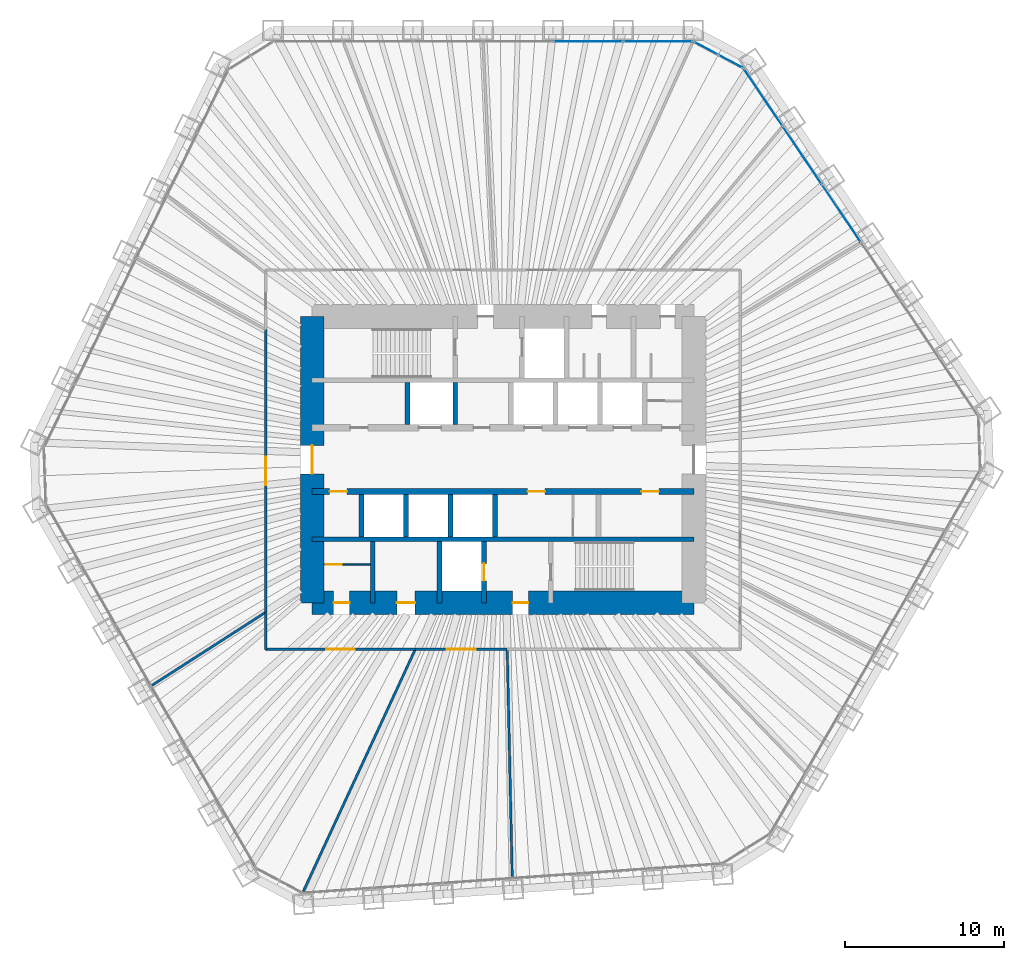
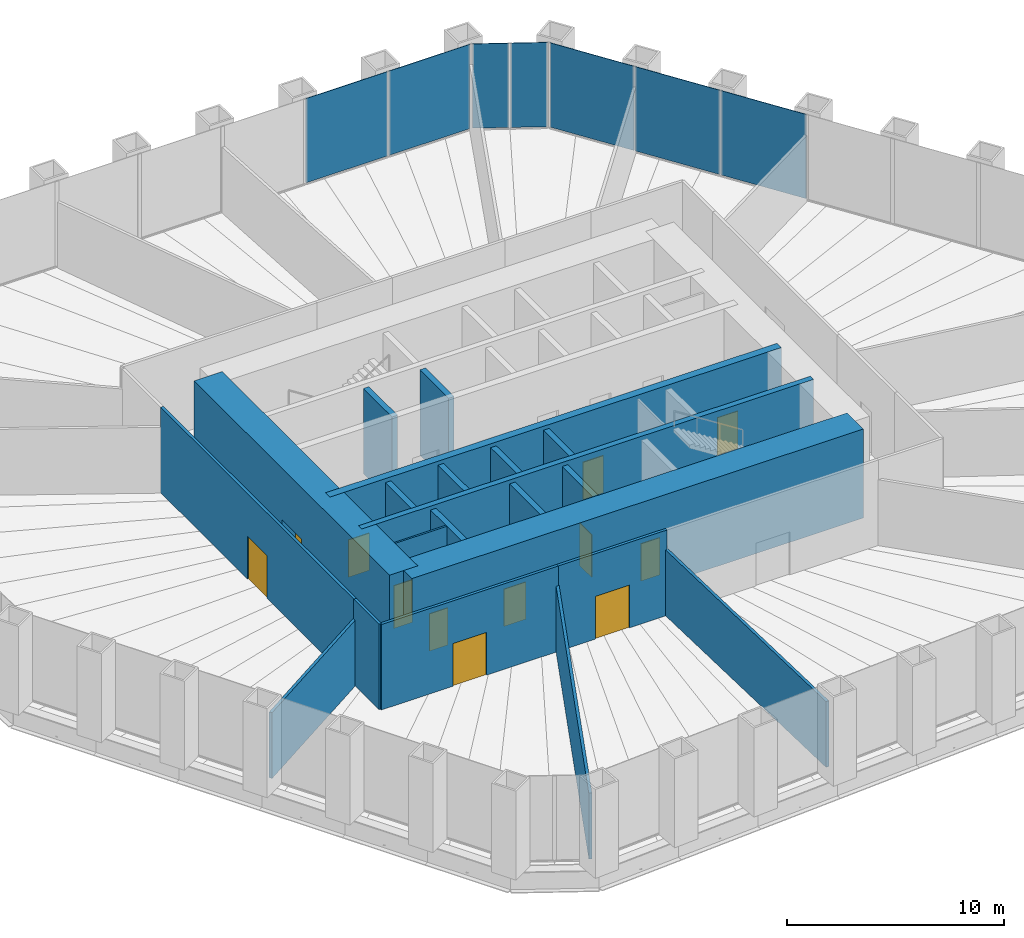
# One storey, part 10 of 14: 21 walls, 12 doors, 7 plates, 12 openings, 3 elements without a shape of their own.
"""IFC4 building model written with IfcOpenShell, lengths in metres."""

from ifc_helpers import new_model, si_unit, direction, frame, frame_2d, origin, origin_2d, place, context, subcontext, project, spatial, rectangle, extrude, material, layer, layer_set, type_object, element, fill, aggregate, save


model = new_model("IFC4")

# Units and contexts
model_context = context("Model", 3, precision=1e-05, world=origin(), true_north=direction((0.0, 1.0)))
body_context = subcontext(model_context, "Body", "Model", "MODEL_VIEW")
ifc_project = project(units=[si_unit("LENGTHUNIT", "METRE"), si_unit("AREAUNIT", "SQUARE_METRE"), si_unit("VOLUMEUNIT", "CUBIC_METRE"), si_unit("PLANEANGLEUNIT", "RADIAN"), si_unit("MASSUNIT", "GRAM", prefix="KILO")], contexts=[model_context])

# Site, building, storey
site_placement = place(None, origin())
site = spatial("IfcSite", under=ifc_project, at=site_placement, CompositionType="ELEMENT")
building_placement = place(site_placement, origin())
building = spatial("IfcBuilding", under=site, at=building_placement, Name="Qingtian Harvest Tower", CompositionType="ELEMENT")
storey_placement = place(building_placement, frame((0.0, 0.0, 52.0)))
storey = spatial("IfcBuildingStorey", under=building, at=storey_placement, Name="L10", CompositionType="ELEMENT", Elevation=52.0)

# Curtain wall, plates
ifc_material_1 = material(Name="Bronze-anodised aluminium curtain wall", Category="aluminium")
curtain_wall_type = type_object("IfcCurtainWallType", Name="Curtain wall CW2 farm reception", PredefinedType="USERDEFINED", material=ifc_material_1)
curtain_wall_1_placement = place(storey_placement, origin())
curtain_wall_1 = element("IfcCurtainWall", 1, at=curtain_wall_1_placement, inside=storey, type_object=curtain_wall_type, Name="Curtain wall CW2 L10 N0-5", ObjectType="RECESSED CURTAIN WALL", PredefinedType="USERDEFINED")
ifc_material_2 = material(Name="Bronze-tinted laminated insulating glass", Category="glass")
ifc_layer_1 = layer(ifc_material_2, 0.030029296875)
ifc_layer_set_1 = layer_set([ifc_layer_1], Name="Glazed panel CWP tinted IGU")
plate_type = type_object("IfcPlateType", Name="Glazed panel CWP tinted IGU", PredefinedType="CURTAIN_PANEL", material=ifc_layer_set_1)
plate_1_placement = place(storey_placement, frame((5.349365234375, 26.300048828125, 0.06494140625), z_axis=(0.0, 0.0, 1.0), x_axis=(1.0, 0.0, 0.0)))
plate_1 = element("IfcPlate", 2, at=plate_1_placement, type_object=plate_type, Name="CW2 panel 5.1", PredefinedType="CURTAIN_PANEL", context=body_context, shape_type="SweptSolid", body=[
    extrude(rectangle(XDim=4.339599609375, YDim=0.030029296875, at=origin_2d()), origin(), (0.0, 0.0, 1.0), 4.735107421875),
])
plate_2_placement = place(storey_placement, frame((9.737548828125, 26.300048828125, 0.06494140625), z_axis=(0.0, 0.0, 1.0), x_axis=(1.0, 0.0, 0.0)))
plate_2 = element("IfcPlate", 3, at=plate_2_placement, type_object=plate_type, Name="CW2 panel 6.1", PredefinedType="CURTAIN_PANEL", context=body_context, shape_type="SweptSolid", body=[
    extrude(rectangle(XDim=4.30712890625, YDim=0.030029296875, at=origin_2d()), origin(), (0.0, 0.0, 1.0), 4.735107421875),
])
aggregate(curtain_wall_1, [plate_1, plate_2])

curtain_wall_2_placement = place(storey_placement, origin())
curtain_wall_2 = element("IfcCurtainWall", 4, at=curtain_wall_2_placement, inside=storey, type_object=curtain_wall_type, Name="Curtain wall CW2 L10 NC", ObjectType="RECESSED CURTAIN WALL", PredefinedType="USERDEFINED")
plate_3_placement = place(storey_placement, frame((12.760986328125, 25.8720703125, 0.06494140625), z_axis=(0.0, 0.0, 1.0), x_axis=(0.882947592859, -0.469471562786, 0.0)))
plate_3 = element("IfcPlate", 5, at=plate_3_placement, type_object=plate_type, Name="CW2 panel 1.1", PredefinedType="CURTAIN_PANEL", context=body_context, shape_type="SweptSolid", body=[
    extrude(rectangle(XDim=1.69287109375, YDim=0.030029296875, at=origin_2d()), origin(), (0.0, 0.0, 1.0), 4.735107421875),
])
plate_4_placement = place(storey_placement, frame((14.31298828125, 25.046875, 0.06494140625), z_axis=(0.0, 0.0, 1.0), x_axis=(0.882947592859, -0.469471562786, 0.0)))
plate_4 = element("IfcPlate", 6, at=plate_4_placement, type_object=plate_type, Name="CW2 panel 2.1", PredefinedType="CURTAIN_PANEL", context=body_context, shape_type="SweptSolid", body=[
    extrude(rectangle(XDim=1.69287109375, YDim=0.030029296875, at=origin_2d()), origin(), (0.0, 0.0, 1.0), 4.735107421875),
])
aggregate(curtain_wall_2, [plate_3, plate_4])

curtain_wall_3_placement = place(storey_placement, origin())
curtain_wall_3 = element("IfcCurtainWall", 7, at=curtain_wall_3_placement, inside=storey, type_object=curtain_wall_type, Name="Curtain wall CW2 L10 NE0-5", ObjectType="RECESSED CURTAIN WALL", PredefinedType="USERDEFINED")
plate_5_placement = place(storey_placement, frame((16.3583984375, 22.779541015625, 0.06494140625), z_axis=(0.0, 0.0, 1.0), x_axis=(0.559192903471, -0.829037572555, 0.0)))
plate_5 = element("IfcPlate", 8, at=plate_5_placement, type_object=plate_type, Name="CW2 panel 1.1", PredefinedType="CURTAIN_PANEL", context=body_context, shape_type="SweptSolid", body=[
    extrude(rectangle(XDim=4.30712890625, YDim=0.030029296875, at=origin_2d()), origin(), (0.0, 0.0, 1.0), 4.735107421875),
])
plate_6_placement = place(storey_placement, frame((18.8125, 19.1416015625, 0.06494140625), z_axis=(0.0, 0.0, 1.0), x_axis=(0.559192903471, -0.829037572555, 0.0)))
plate_6 = element("IfcPlate", 9, at=plate_6_placement, type_object=plate_type, Name="CW2 panel 2.1", PredefinedType="CURTAIN_PANEL", context=body_context, shape_type="SweptSolid", body=[
    extrude(rectangle(XDim=4.339599609375, YDim=0.030029296875, at=origin_2d()), origin(), (0.0, 0.0, 1.0), 4.735107421875),
])
plate_7_placement = place(storey_placement, frame((21.275390625, 15.489990234375, 0.06494140625), z_axis=(0.0, 0.0, 1.0), x_axis=(0.559192903471, -0.829037572555, 0.0)))
plate_7 = element("IfcPlate", 10, at=plate_7_placement, type_object=plate_type, Name="CW2 panel 3.1", PredefinedType="CURTAIN_PANEL", context=body_context, shape_type="SweptSolid", body=[
    extrude(rectangle(XDim=4.339599609375, YDim=0.030029296875, at=origin_2d()), origin(), (0.0, 0.0, 1.0), 4.735107421875),
])
aggregate(curtain_wall_3, [plate_5, plate_6, plate_7])

# Wall
ifc_material_3 = material(Name="Concrete fc' 70 MPa", Category="concrete")
ifc_layer_2 = layer(ifc_material_3, 0.300048828125)
ifc_layer_set_2 = layer_set([ifc_layer_2], Name="Core inner wall RC5 300")
wall_type_1 = type_object("IfcWallType", Name="Core inner wall RC5 300", PredefinedType="SHEAR", material=ifc_layer_set_2)
wall_1_placement = place(storey_placement, frame((-12.0, -5.0, 0.0), z_axis=(0.0, 0.0, 1.0), x_axis=(1.0, 0.0, 0.0)))
element("IfcWall", 11, at=wall_1_placement, inside=storey, type_object=wall_type_1, Name="Core wall IS5 L10", PredefinedType="SHEAR", context=body_context, shape_type="SweptSolid", body=[
    extrude(rectangle(XDim=24.0, YDim=0.300048828125, at=frame_2d((12.0, 0.0))), origin(), (0.0, 0.0, 1.0), 5.0),
])

# Wall, openings, doors
ifc_material_4 = material(Name="Concrete fc' 70 MPa", Category="concrete")
ifc_layer_3 = layer(ifc_material_4, 0.39990234375)
ifc_layer_set_3 = layer_set([ifc_layer_3], Name="Core inner web RC6 400")
wall_type_2 = type_object("IfcWallType", Name="Core inner web RC6 400", PredefinedType="SHEAR", material=ifc_layer_set_3)
wall_2_placement = place(storey_placement, frame((-12.0, -2.0, 0.0), z_axis=(0.0, 0.0, 1.0), x_axis=(1.0, 0.0, 0.0)))
wall_2 = element("IfcWall", 12, at=wall_2_placement, inside=storey, type_object=wall_type_2, Name="Core wall IS2 L10", PredefinedType="SHEAR", context=body_context, shape_type="SweptSolid", body=[
    extrude(rectangle(XDim=24.0, YDim=0.39990234375, at=frame_2d((12.0, 0.0))), origin(), (0.0, 0.0, 1.0), 5.0),
])
opening_1_placement = place(wall_2_placement, frame((1.10009765625, 0.0, 0.0)))
opening_1 = element("IfcOpeningElement", 13, at=opening_1_placement, cuts=wall_2, Name="Opening FD4", PredefinedType="OPENING", context=body_context, shape_type="SweptSolid", body=[
    extrude(rectangle(XDim=1.10009765625, YDim=2.10009765625, at=frame_2d((0.550048828125, 1.050048828125))), frame((0.0, 0.2099609375, 0.0), z_axis=(0.0, -1.0, 0.0), x_axis=(1.0, 0.0, 0.0)), (0.0, 0.0, 1.0), 0.419921875),
])
opening_2_placement = place(wall_2_placement, frame((13.550048828125, 0.0, 0.0)))
opening_2 = element("IfcOpeningElement", 14, at=opening_2_placement, cuts=wall_2, Name="Opening FD4", PredefinedType="OPENING", context=body_context, shape_type="SweptSolid", body=[
    extrude(rectangle(XDim=1.10009765625, YDim=2.10009765625, at=frame_2d((0.550048828125, 1.050048828125))), frame((0.0, 0.2099609375, 0.0), z_axis=(0.0, -1.0, 0.0), x_axis=(1.0, 0.0, 0.0)), (0.0, 0.0, 1.0), 0.419921875),
])
opening_3_placement = place(wall_2_placement, frame((20.699951171875, 0.0, 0.0)))
opening_3 = element("IfcOpeningElement", 15, at=opening_3_placement, cuts=wall_2, Name="Opening FD4", PredefinedType="OPENING", context=body_context, shape_type="SweptSolid", body=[
    extrude(rectangle(XDim=1.10009765625, YDim=2.10009765625, at=frame_2d((0.550048828125, 1.050048828125))), frame((0.0, 0.2099609375, 0.0), z_axis=(0.0, -1.0, 0.0), x_axis=(1.0, 0.0, 0.0)), (0.0, 0.0, 1.0), 0.419921875),
])
ifc_material_5 = material(Name="Steel-faced door leaf", Category="steel")
door_type_1 = type_object("IfcDoorType", Name="Fire door FD4 single 2 HR", OperationType="SINGLE_SWING_LEFT", PredefinedType="DOOR", material=ifc_material_5)
door_1_placement = place(opening_1_placement, origin())
door_1 = element("IfcDoor", 16, at=door_1_placement, inside=storey, type_object=door_type_1, Name="RB door L10", OperationType="SINGLE_SWING_RIGHT", OverallHeight=2.10009765625, OverallWidth=1.10009765625, PredefinedType="DOOR", context=body_context, shape_type="SweptSolid", body=[
    extrude(rectangle(XDim=1.10009765625, YDim=2.10009765625, at=frame_2d((0.550048828125, 1.050048828125))), frame((0.0, 0.02490234375, 0.0), z_axis=(0.0, -1.0, 0.0), x_axis=(1.0, 0.0, 0.0)), (0.0, 0.0, 1.0), 0.050048828125),
])
fill(opening_1, door_1)
door_2_placement = place(opening_2_placement, origin())
door_2 = element("IfcDoor", 17, at=door_2_placement, inside=storey, type_object=door_type_1, Name="ELEC door L10", OperationType="SINGLE_SWING_LEFT", OverallHeight=2.10009765625, OverallWidth=1.10009765625, PredefinedType="DOOR", context=body_context, shape_type="SweptSolid", body=[
    extrude(rectangle(XDim=1.10009765625, YDim=2.10009765625, at=frame_2d((0.550048828125, 1.050048828125))), frame((0.0, 0.02490234375, 0.0), z_axis=(0.0, -1.0, 0.0), x_axis=(1.0, 0.0, 0.0)), (0.0, 0.0, 1.0), 0.050048828125),
])
fill(opening_2, door_2)
door_3_placement = place(opening_3_placement, origin())
door_3 = element("IfcDoor", 18, at=door_3_placement, inside=storey, type_object=door_type_1, Name="DUCT door L10", OperationType="SINGLE_SWING_RIGHT", OverallHeight=2.10009765625, OverallWidth=1.10009765625, PredefinedType="DOOR", context=body_context, shape_type="SweptSolid", body=[
    extrude(rectangle(XDim=1.10009765625, YDim=2.10009765625, at=frame_2d((0.550048828125, 1.050048828125))), frame((0.0, 0.02490234375, 0.0), z_axis=(0.0, -1.0, 0.0), x_axis=(1.0, 0.0, 0.0)), (0.0, 0.0, 1.0), 0.050048828125),
])
fill(opening_3, door_3)

# Walls
ifc_material_6 = material(Name="Precast concrete shaft panel", Category="concrete")
ifc_layer_4 = layer(ifc_material_6, 0.300048828125)
ifc_layer_set_4 = layer_set([ifc_layer_4], Name="Core shaft partition SW1 300")
wall_type_3 = type_object("IfcWallType", Name="Core shaft partition SW1 300", PredefinedType="PARTITIONING", material=ifc_layer_set_4)
for number, where, z_axis, x_axis, name in (
    (19, (-6.0, 2.199951171875, 0.0), (0.0, 0.0, 1.0), (0.0, 1.0, 0.0), "Core shaft partition XA1 L10"),
    (20, (-3.0, 2.199951171875, 0.0), (0.0, 0.0, 1.0), (0.0, 1.0, 0.0), "Core shaft partition XA2 L10"),
    (21, (-8.89990234375, -4.85009765625, 0.0), (0.0, 0.0, 1.0), (0.0, 1.0, 0.0), "Core shaft partition XB1 L10"),
    (22, (-6.10009765625, -4.85009765625, 0.0), (0.0, 0.0, 1.0), (0.0, 1.0, 0.0), "Core shaft partition XB2 L10"),
    (23, (-3.300048828125, -4.85009765625, 0.0), (0.0, 0.0, 1.0), (0.0, 1.0, 0.0), "Core shaft partition XB3 L10"),
    (24, (-0.5, -4.85009765625, 0.0), (0.0, 0.0, 1.0), (0.0, 1.0, 0.0), "Core shaft partition XB4 L10"),
):
    element("IfcWall", number, at=place(storey_placement, frame(where, z_axis=z_axis, x_axis=x_axis)), inside=storey, type_object=wall_type_3, Name=name, PredefinedType="PARTITIONING", context=body_context, shape_type="SweptSolid", body=[
        extrude(rectangle(XDim=2.650146484375, YDim=0.300048828125, at=frame_2d((1.3251953125, 0.0))), origin(), (0.0, 0.0, 1.0), 4.780029296875),
    ])
for number, where, z_axis, x_axis, name in (
    (25, (-8.199951171875, -9.0, 0.0), (0.0, 0.0, 1.0), (0.0, 1.0, 0.0), "Core shaft partition XS1 L10"),
    (26, (-4.0, -9.0, 0.0), (0.0, 0.0, 1.0), (0.0, 1.0, 0.0), "Core shaft partition XS2 L10"),
):
    element("IfcWall", number, at=place(storey_placement, frame(where, z_axis=z_axis, x_axis=x_axis)), inside=storey, type_object=wall_type_3, Name=name, PredefinedType="PARTITIONING", context=body_context, shape_type="SweptSolid", body=[
        extrude(rectangle(XDim=3.85009765625, YDim=0.300048828125, at=frame_2d((1.925048828125, 0.0))), origin(), (0.0, 0.0, 1.0), 4.780029296875),
    ])

# Wall, opening, door
wall_3_placement = place(storey_placement, frame((-1.199951171875, -9.0, 0.0), z_axis=(0.0, 0.0, 1.0), x_axis=(0.0, 1.0, 0.0)))
wall_3 = element("IfcWall", 27, at=wall_3_placement, inside=storey, type_object=wall_type_3, Name="Core shaft partition XS3 L10", PredefinedType="PARTITIONING", context=body_context, shape_type="SweptSolid", body=[
    extrude(rectangle(XDim=3.85009765625, YDim=0.300048828125, at=frame_2d((1.925048828125, 0.0))), origin(), (0.0, 0.0, 1.0), 4.780029296875),
])
opening_4_placement = place(wall_3_placement, frame((1.375, 0.0, 0.0)))
opening_4 = element("IfcOpeningElement", 28, at=opening_4_placement, cuts=wall_3, Name="Opening LD1", PredefinedType="OPENING", context=body_context, shape_type="SweptSolid", body=[
    extrude(rectangle(XDim=1.10009765625, YDim=2.39990234375, at=frame_2d((0.550048828125, 1.199951171875))), frame((0.0, 0.159912109375, 0.0), z_axis=(0.0, -1.0, 0.0), x_axis=(1.0, 0.0, 0.0)), (0.0, 0.0, 1.0), 0.320068359375),
])
ifc_material_7 = material(Name="Stainless steel lift landing door", Category="steel")
door_type_2 = type_object("IfcDoorType", Name="Lift landing door LD1 1 HR", OperationType="DOUBLE_DOOR_SLIDING", PredefinedType="DOOR", material=ifc_material_7)
door_4_placement = place(opening_4_placement, origin())
door_4 = element("IfcDoor", 29, at=door_4_placement, inside=storey, type_object=door_type_2, Name="FL2 landing door L10", OperationType="DOUBLE_DOOR_SLIDING", OverallHeight=2.39990234375, OverallWidth=1.10009765625, PredefinedType="DOOR", context=body_context, shape_type="SweptSolid", body=[
    extrude(rectangle(XDim=1.10009765625, YDim=2.39990234375, at=frame_2d((0.550048828125, 1.199951171875))), frame((0.0, 0.02490234375, 0.0), z_axis=(0.0, -1.0, 0.0), x_axis=(1.0, 0.0, 0.0)), (0.0, 0.0, 1.0), 0.050048828125),
])
fill(opening_4, door_4)

# Wall, openings, doors
ifc_material_8 = material(Name="Concrete fc' 70 MPa", Category="concrete")
ifc_layer_5 = layer(ifc_material_8, 1.5)
ifc_layer_set_5 = layer_set([ifc_layer_5], Name="Core wall RC1 1500")
wall_type_4 = type_object("IfcWallType", Name="Core wall RC1 1500", PredefinedType="SHEAR", material=ifc_layer_set_5)
wall_4_placement = place(storey_placement, frame((-12.0, -9.0, 0.0), z_axis=(0.0, 0.0, 1.0), x_axis=(1.0, 0.0, 0.0)))
wall_4 = element("IfcWall", 30, at=wall_4_placement, inside=storey, type_object=wall_type_4, Name="Core wall CS L10", PredefinedType="SHEAR", context=body_context, shape_type="SweptSolid", body=[
    extrude(rectangle(XDim=24.0, YDim=1.5, at=frame_2d((12.0, 0.0))), origin(), (0.0, 0.0, 1.0), 5.0),
])
opening_5_placement = place(wall_4_placement, frame((1.35009765625, 0.0, 0.0)))
opening_5 = element("IfcOpeningElement", 31, at=opening_5_placement, cuts=wall_4, Name="Opening FD1", PredefinedType="OPENING", context=body_context, shape_type="SweptSolid", body=[
    extrude(rectangle(XDim=1.0, YDim=2.10009765625, at=frame_2d((0.5, 1.050048828125))), frame((0.0, 0.760009765625, 0.0), z_axis=(0.0, -1.0, 0.0), x_axis=(1.0, 0.0, 0.0)), (0.0, 0.0, 1.0), 1.52001953125),
])
opening_6_placement = place(wall_4_placement, frame((5.324951171875, 0.0, 0.0)))
opening_6 = element("IfcOpeningElement", 32, at=opening_6_placement, cuts=wall_4, Name="Opening AD1", PredefinedType="OPENING", context=body_context, shape_type="SweptSolid", body=[
    extrude(rectangle(XDim=1.14990234375, YDim=2.10009765625, at=frame_2d((0.574951171875, 1.050048828125))), frame((0.0, 0.760009765625, 0.0), z_axis=(0.0, -1.0, 0.0), x_axis=(1.0, 0.0, 0.0)), (0.0, 0.0, 1.0), 1.52001953125),
])
opening_7_placement = place(wall_4_placement, frame((12.60009765625, 0.0, 0.0)))
opening_7 = element("IfcOpeningElement", 33, at=opening_7_placement, cuts=wall_4, Name="Opening FD1", PredefinedType="OPENING", context=body_context, shape_type="SweptSolid", body=[
    extrude(rectangle(XDim=1.0, YDim=2.10009765625, at=frame_2d((0.5, 1.050048828125))), frame((0.0, 0.760009765625, 0.0), z_axis=(0.0, -1.0, 0.0), x_axis=(1.0, 0.0, 0.0)), (0.0, 0.0, 1.0), 1.52001953125),
])
ifc_material_9 = material(Name="Laminated timber door leaf", Category="wood")
door_type_3 = type_object("IfcDoorType", Name="Accessible WC door AD1 single", OperationType="SINGLE_SWING_LEFT", PredefinedType="DOOR", material=ifc_material_9)
door_5_placement = place(opening_6_placement, origin())
door_5 = element("IfcDoor", 34, at=door_5_placement, inside=storey, type_object=door_type_3, Name="AWC door L10", OperationType="SINGLE_SWING_RIGHT", OverallHeight=2.10009765625, OverallWidth=1.14990234375, PredefinedType="DOOR", context=body_context, shape_type="SweptSolid", body=[
    extrude(rectangle(XDim=1.14990234375, YDim=2.10009765625, at=frame_2d((0.574951171875, 1.050048828125))), frame((0.0, 0.02490234375, 0.0), z_axis=(0.0, -1.0, 0.0), x_axis=(1.0, 0.0, 0.0)), (0.0, 0.0, 1.0), 0.050048828125),
])
fill(opening_6, door_5)
ifc_material_10 = material(Name="Steel-faced door leaf", Category="steel")
door_type_4 = type_object("IfcDoorType", Name="Fire door FD1 single 1 HR", OperationType="SINGLE_SWING_LEFT", PredefinedType="DOOR", material=ifc_material_10)
door_6_placement = place(opening_5_placement, origin())
door_6 = element("IfcDoor", 35, at=door_6_placement, inside=storey, type_object=door_type_4, Name="CLN door L10", OperationType="SINGLE_SWING_LEFT", OverallHeight=2.10009765625, OverallWidth=1.0, PredefinedType="DOOR", context=body_context, shape_type="SweptSolid", body=[
    extrude(rectangle(XDim=1.0, YDim=2.10009765625, at=frame_2d((0.5, 1.050048828125))), frame((0.0, 0.02490234375, 0.0), z_axis=(0.0, -1.0, 0.0), x_axis=(1.0, 0.0, 0.0)), (0.0, 0.0, 1.0), 0.050048828125),
])
fill(opening_5, door_6)
door_7_placement = place(opening_7_placement, origin())
door_7 = element("IfcDoor", 36, at=door_7_placement, inside=storey, type_object=door_type_4, Name="V2 door L10", OperationType="SINGLE_SWING_LEFT", OverallHeight=2.10009765625, OverallWidth=1.0, PredefinedType="DOOR", context=body_context, shape_type="SweptSolid", body=[
    extrude(rectangle(XDim=1.0, YDim=2.10009765625, at=frame_2d((0.5, 1.050048828125))), frame((0.0, 0.02490234375, 0.0), z_axis=(0.0, -1.0, 0.0), x_axis=(1.0, 0.0, 0.0)), (0.0, 0.0, 1.0), 0.050048828125),
])
fill(opening_7, door_7)

# Wall, opening, door
wall_5_placement = place(storey_placement, frame((-12.0, -9.0, 0.0), z_axis=(0.0, 0.0, 1.0), x_axis=(0.0, 1.0, 0.0)))
wall_5 = element("IfcWall", 37, at=wall_5_placement, inside=storey, type_object=wall_type_4, Name="Core wall CW L10", PredefinedType="SHEAR", context=body_context, shape_type="SweptSolid", body=[
    extrude(rectangle(XDim=18.0, YDim=1.5, at=frame_2d((9.0, 0.0))), origin(), (0.0, 0.0, 1.0), 5.0),
])
opening_8_placement = place(wall_5_placement, frame((8.10009765625, 0.0, 0.0)))
opening_8 = element("IfcOpeningElement", 38, at=opening_8_placement, cuts=wall_5, Name="Opening FD2", PredefinedType="OPENING", context=body_context, shape_type="SweptSolid", body=[
    extrude(rectangle(XDim=1.800048828125, YDim=2.10009765625, at=frame_2d((0.89990234375, 1.050048828125))), frame((0.0, 0.760009765625, 0.0), z_axis=(0.0, -1.0, 0.0), x_axis=(1.0, 0.0, 0.0)), (0.0, 0.0, 1.0), 1.52001953125),
])
ifc_material_11 = material(Name="Steel-faced door leaf", Category="steel")
door_type_5 = type_object("IfcDoorType", Name="Fire door FD2 double 1 HR", OperationType="DOUBLE_DOOR_DOUBLE_SWING", PredefinedType="DOOR", material=ifc_material_11)
door_8_placement = place(opening_8_placement, origin())
door_8 = element("IfcDoor", 39, at=door_8_placement, inside=storey, type_object=door_type_5, Name="LOBBY-W door L10", OperationType="DOUBLE_DOOR_DOUBLE_SWING", OverallHeight=2.10009765625, OverallWidth=1.800048828125, PredefinedType="DOOR", context=body_context, shape_type="SweptSolid", body=[
    extrude(rectangle(XDim=1.800048828125, YDim=2.10009765625, at=frame_2d((0.89990234375, 1.050048828125))), frame((0.0, 0.02490234375, 0.0), z_axis=(0.0, -1.0, 0.0), x_axis=(1.0, 0.0, 0.0)), (0.0, 0.0, 1.0), 0.050048828125),
])
fill(opening_8, door_8)

# Wall
ifc_material_12 = material(Name="Gypsum board on steel studs", Category="steel")
ifc_layer_6 = layer(ifc_material_12, 0.14990234375)
ifc_layer_set_6 = layer_set([ifc_layer_6], Name="Partition PT1 150")
wall_type_5 = type_object("IfcWallType", Name="Partition PT1 150", PredefinedType="PARTITIONING", material=ifc_layer_set_6)
wall_6_placement = place(storey_placement, frame((0.577880859375, -26.2236328125, 0.0), z_axis=(0.0, 0.0, 1.0), x_axis=(-0.022037776667, 0.999757138709, 0.0)))
element("IfcWall", 40, at=wall_6_placement, inside=storey, type_object=wall_type_5, Name="Herb drying room wall L10", PredefinedType="PARTITIONING", context=body_context, shape_type="SweptSolid", body=[
    extrude(rectangle(XDim=14.302001953125, YDim=0.14990234375, at=frame_2d((7.15087890625, 0.0))), origin(), (0.0, 0.0, 1.0), 3.699951171875),
])

# Wall, opening, door
wall_7_placement = place(storey_placement, frame((0.2626953125, -11.925048828125, 0.0), z_axis=(0.0, 0.0, 1.0), x_axis=(-1.0, 0.0, 0.0)))
wall_7 = element("IfcWall", 41, at=wall_7_placement, inside=storey, type_object=wall_type_5, Name="Herb drying room wall L10", PredefinedType="PARTITIONING", context=body_context, shape_type="SweptSolid", body=[
    extrude(rectangle(XDim=5.7783203125, YDim=0.14990234375, at=frame_2d((2.88916015625, 0.0))), origin(), (0.0, 0.0, 1.0), 4.800048828125),
])
opening_9_placement = place(wall_7_placement, frame((1.9892578125, 0.0, 0.0)))
opening_9 = element("IfcOpeningElement", 42, at=opening_9_placement, cuts=wall_7, Name="Opening D3", PredefinedType="OPENING", context=body_context, shape_type="SweptSolid", body=[
    extrude(rectangle(XDim=1.800048828125, YDim=2.39990234375, at=frame_2d((0.89990234375, 1.199951171875))), frame((0.0, 0.0849609375, 0.0), z_axis=(0.0, -1.0, 0.0), x_axis=(1.0, 0.0, 0.0)), (0.0, 0.0, 1.0), 0.169921875),
])
ifc_material_13 = material(Name="Laminated timber door leaf", Category="wood")
door_type_6 = type_object("IfcDoorType", Name="Room door D3 double", OperationType="DOUBLE_DOOR_DOUBLE_SWING", PredefinedType="DOOR", material=ifc_material_13)
door_9_placement = place(opening_9_placement, origin())
door_9 = element("IfcDoor", 43, at=door_9_placement, inside=storey, type_object=door_type_6, Name="Herb drying room door L10", OperationType="DOUBLE_DOOR_DOUBLE_SWING", OverallHeight=2.39990234375, OverallWidth=1.800048828125, PredefinedType="DOOR", context=body_context, shape_type="SweptSolid", body=[
    extrude(rectangle(XDim=1.800048828125, YDim=2.39990234375, at=frame_2d((0.89990234375, 1.199951171875))), frame((0.0, 0.02490234375, 0.0), z_axis=(0.0, -1.0, 0.0), x_axis=(1.0, 0.0, 0.0)), (0.0, 0.0, 1.0), 0.050048828125),
])
fill(opening_9, door_9)

# Wall
wall_8_placement = place(storey_placement, frame((-12.5595703125, -27.154541015625, 0.0), z_axis=(0.0, 0.0, 1.0), x_axis=(0.41979248878, 0.90762011126, 0.0)))
element("IfcWall", 44, at=wall_8_placement, inside=storey, type_object=wall_type_5, Name="Herb growing room wall L10", PredefinedType="PARTITIONING", context=body_context, shape_type="SweptSolid", body=[
    extrude(rectangle(XDim=16.779541015625, YDim=0.14990234375, at=frame_2d((8.3896484375, 0.0))), origin(), (0.0, 0.0, 1.0), 3.699951171875),
])

# Wall, opening, door
wall_9_placement = place(storey_placement, frame((-5.515625, -11.925048828125, 0.0), z_axis=(0.0, 0.0, 1.0), x_axis=(-1.0, 0.0, 0.0)))
wall_9 = element("IfcWall", 45, at=wall_9_placement, inside=storey, type_object=wall_type_5, Name="Herb growing room wall L10", PredefinedType="PARTITIONING", context=body_context, shape_type="SweptSolid", body=[
    extrude(rectangle(XDim=9.409423828125, YDim=0.14990234375, at=frame_2d((4.70458984375, 0.0))), origin(), (0.0, 0.0, 1.0), 4.800048828125),
])
opening_10_placement = place(wall_9_placement, frame((3.8046875, 0.0, 0.0)))
opening_10 = element("IfcOpeningElement", 46, at=opening_10_placement, cuts=wall_9, Name="Opening D3", PredefinedType="OPENING", context=body_context, shape_type="SweptSolid", body=[
    extrude(rectangle(XDim=1.800048828125, YDim=2.39990234375, at=frame_2d((0.89990234375, 1.199951171875))), frame((0.0, 0.0849609375, 0.0), z_axis=(0.0, -1.0, 0.0), x_axis=(1.0, 0.0, 0.0)), (0.0, 0.0, 1.0), 0.169921875),
])
door_10_placement = place(opening_10_placement, origin())
door_10 = element("IfcDoor", 47, at=door_10_placement, inside=storey, type_object=door_type_6, Name="Herb growing room door L10", OperationType="DOUBLE_DOOR_DOUBLE_SWING", OverallHeight=2.39990234375, OverallWidth=1.800048828125, PredefinedType="DOOR", context=body_context, shape_type="SweptSolid", body=[
    extrude(rectangle(XDim=1.800048828125, YDim=2.39990234375, at=frame_2d((0.89990234375, 1.199951171875))), frame((0.0, 0.02490234375, 0.0), z_axis=(0.0, -1.0, 0.0), x_axis=(1.0, 0.0, 0.0)), (0.0, 0.0, 1.0), 0.050048828125),
])
fill(opening_10, door_10)

# Walls
wall_10_placement = place(storey_placement, frame((-14.925048828125, -11.925048828125, 0.0), z_axis=(0.0, 0.0, 1.0), x_axis=(0.0, 1.0, 0.0)))
element("IfcWall", 48, at=wall_10_placement, inside=storey, type_object=wall_type_5, Name="Herb growing room wall L10", PredefinedType="PARTITIONING", context=body_context, shape_type="SweptSolid", body=[
    extrude(rectangle(XDim=2.329345703125, YDim=0.14990234375, at=frame_2d((1.16455078125, 0.0))), origin(), (0.0, 0.0, 1.0), 4.800048828125),
])
wall_11_placement = place(storey_placement, frame((-22.0634765625, -14.18505859375, 0.0), z_axis=(0.0, 0.0, 1.0), x_axis=(0.841158845851, 0.540788124912, 0.0)))
element("IfcWall", 49, at=wall_11_placement, inside=storey, type_object=wall_type_5, Name="Basil growing room wall L10", PredefinedType="PARTITIONING", context=body_context, shape_type="SweptSolid", body=[
    extrude(rectangle(XDim=8.486328125, YDim=0.14990234375, at=frame_2d((4.2431640625, 0.0))), origin(), (0.0, 0.0, 1.0), 3.699951171875),
])

# Wall, opening, door
wall_12_placement = place(storey_placement, frame((-14.925048828125, -9.595703125, 0.0), z_axis=(0.0, 0.0, 1.0), x_axis=(0.0, 1.0, 0.0)))
wall_12 = element("IfcWall", 50, at=wall_12_placement, inside=storey, type_object=wall_type_5, Name="Basil growing room wall L10", PredefinedType="PARTITIONING", context=body_context, shape_type="SweptSolid", body=[
    extrude(rectangle(XDim=17.77978515625, YDim=0.14990234375, at=frame_2d((8.889892578125, 0.0))), origin(), (0.0, 0.0, 1.0), 4.800048828125),
])
opening_11_placement = place(wall_12_placement, frame((7.98974609375, 0.0, 0.0)))
opening_11 = element("IfcOpeningElement", 51, at=opening_11_placement, cuts=wall_12, Name="Opening D3", PredefinedType="OPENING", context=body_context, shape_type="SweptSolid", body=[
    extrude(rectangle(XDim=1.800048828125, YDim=2.39990234375, at=frame_2d((0.89990234375, 1.199951171875))), frame((0.0, 0.0849609375, 0.0), z_axis=(0.0, -1.0, 0.0), x_axis=(1.0, 0.0, 0.0)), (0.0, 0.0, 1.0), 0.169921875),
])
door_11_placement = place(opening_11_placement, origin())
door_11 = element("IfcDoor", 52, at=door_11_placement, inside=storey, type_object=door_type_6, Name="Basil growing room door L10", OperationType="DOUBLE_DOOR_DOUBLE_SWING", OverallHeight=2.39990234375, OverallWidth=1.800048828125, PredefinedType="DOOR", context=body_context, shape_type="SweptSolid", body=[
    extrude(rectangle(XDim=1.800048828125, YDim=2.39990234375, at=frame_2d((0.89990234375, 1.199951171875))), frame((0.0, 0.02490234375, 0.0), z_axis=(0.0, -1.0, 0.0), x_axis=(1.0, 0.0, 0.0)), (0.0, 0.0, 1.0), 0.050048828125),
])
fill(opening_11, door_11)

ifc_material_14 = material(Name="Concrete block partition", Category="concrete")
ifc_layer_7 = layer(ifc_material_14, 0.10009765625)
ifc_layer_set_7 = layer_set([ifc_layer_7], Name="Store partition PT3 100")
wall_type_6 = type_object("IfcWallType", Name="Store partition PT3 100", PredefinedType="PARTITIONING", material=ifc_layer_set_7)
wall_13_placement = place(storey_placement, frame((-11.25, -6.60009765625, 0.0), z_axis=(0.0, 0.0, 1.0), x_axis=(1.0, 0.0, 0.0)))
wall_13 = element("IfcWall", 53, at=wall_13_placement, inside=storey, type_object=wall_type_6, Name="Chemical store wall L10", PredefinedType="PARTITIONING", context=body_context, shape_type="SweptSolid", body=[
    extrude(rectangle(XDim=2.89990234375, YDim=0.10009765625, at=frame_2d((1.449951171875, 0.0))), origin(), (0.0, 0.0, 1.0), 4.780029296875),
])
opening_12_placement = place(wall_13_placement, frame((0.10009765625, 0.0, 0.0)))
opening_12 = element("IfcOpeningElement", 54, at=opening_12_placement, cuts=wall_13, Name="Opening D2", PredefinedType="OPENING", context=body_context, shape_type="SweptSolid", body=[
    extrude(rectangle(XDim=1.0, YDim=2.39990234375, at=frame_2d((0.5, 1.199951171875))), frame((0.0, 0.06005859375, 0.0), z_axis=(0.0, -1.0, 0.0), x_axis=(1.0, 0.0, 0.0)), (0.0, 0.0, 1.0), 0.1201171875),
])
ifc_material_15 = material(Name="Laminated timber door leaf", Category="wood")
door_type_7 = type_object("IfcDoorType", Name="Room door D2 single", OperationType="SINGLE_SWING_LEFT", PredefinedType="DOOR", material=ifc_material_15)
door_12_placement = place(opening_12_placement, origin())
door_12 = element("IfcDoor", 55, at=door_12_placement, inside=storey, type_object=door_type_7, Name="Chemical store door L10", OperationType="SINGLE_SWING_LEFT", OverallHeight=2.39990234375, OverallWidth=1.0, PredefinedType="DOOR", context=body_context, shape_type="SweptSolid", body=[
    extrude(rectangle(XDim=1.0, YDim=2.39990234375, at=frame_2d((0.5, 1.199951171875))), frame((0.0, 0.02490234375, 0.0), z_axis=(0.0, -1.0, 0.0), x_axis=(1.0, 0.0, 0.0)), (0.0, 0.0, 1.0), 0.050048828125),
])
fill(opening_12, door_12)

save(model, "model.ifc")
